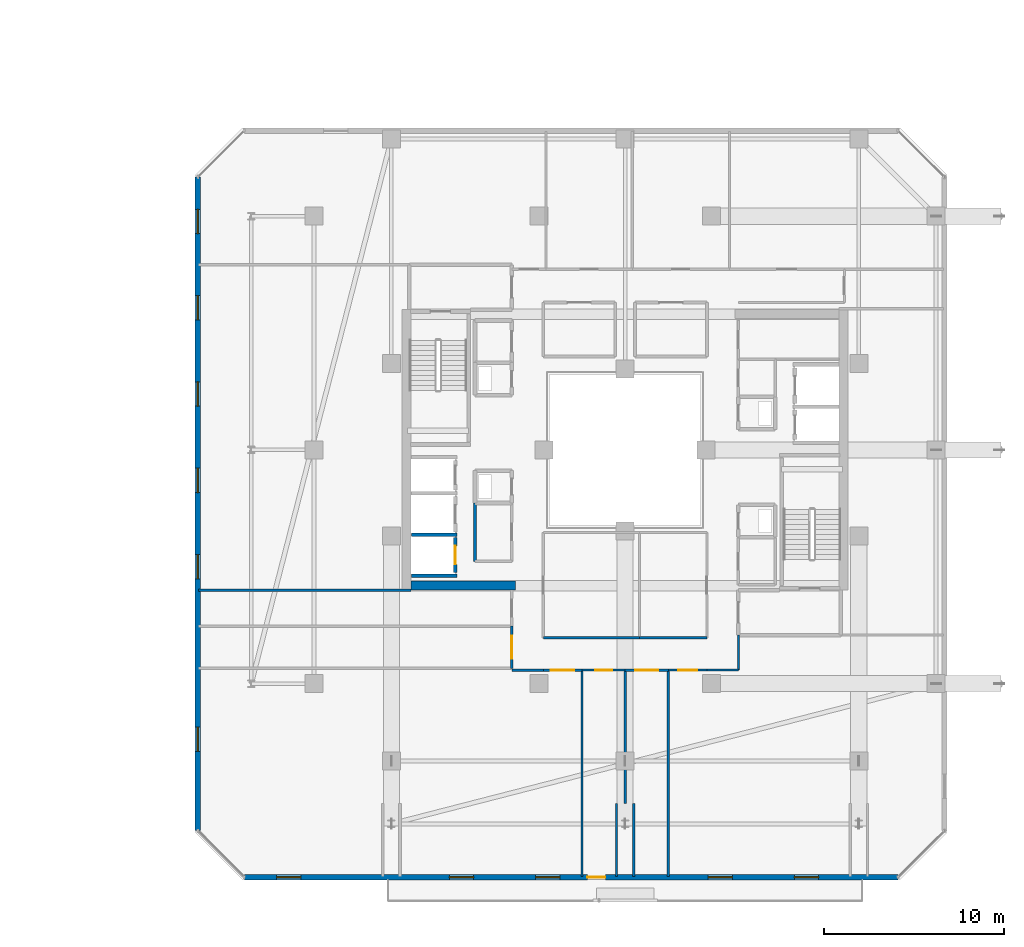
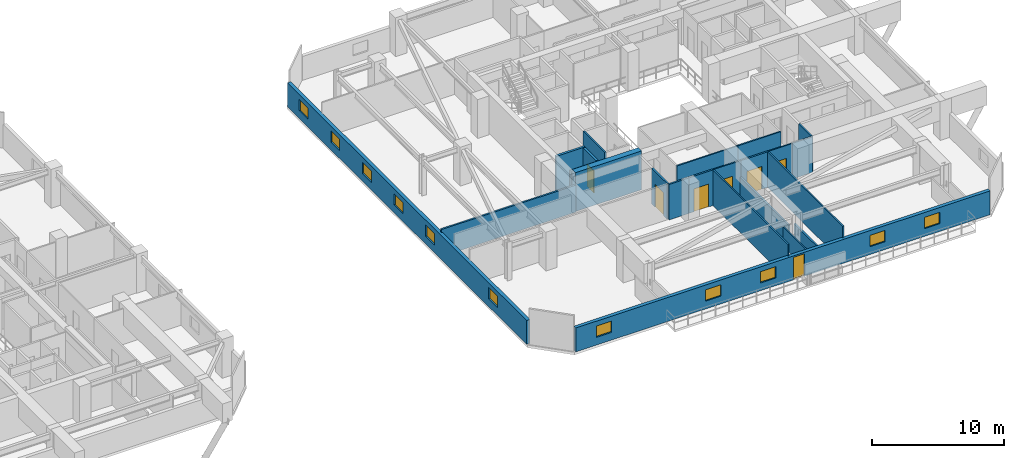
# One storey, part 25 of 35: 23 walls, 11 windows, 7 doors, 18 openings.
"""IFC4 building model written with IfcOpenShell, lengths in metres."""

from ifc_helpers import new_model, si_unit, direction, frame, frame_2d, origin, place, context, subcontext, project, spatial, rectangle, extrude, material, layer, layer_set, type_object, element, fill, save


model = new_model("IFC4")

# Units and contexts
model_context = context("Model", 3, precision=1e-05, world=origin(), true_north=direction((0.0, 1.0)))
body_context = subcontext(model_context, "Body", "Model", "MODEL_VIEW")
ifc_project = project(units=[si_unit("LENGTHUNIT", "METRE"), si_unit("AREAUNIT", "SQUARE_METRE"), si_unit("VOLUMEUNIT", "CUBIC_METRE"), si_unit("PLANEANGLEUNIT", "RADIAN"), si_unit("MASSUNIT", "GRAM", prefix="KILO")], contexts=[model_context])

# Site, building, storey
site_placement = place(None, origin())
site = spatial("IfcSite", under=ifc_project, at=site_placement, CompositionType="ELEMENT")
building_placement = place(site_placement, origin())
building = spatial("IfcBuilding", under=site, at=building_placement, Name="Thornwick Lancets Civic Towers", CompositionType="ELEMENT")
storey_placement = place(building_placement, frame((0.0, 0.0, 225.89990234375)))
storey = spatial("IfcBuildingStorey", under=building, at=storey_placement, Name="L60", CompositionType="ELEMENT", Elevation=225.89990234375)

# Wall, opening, door
ifc_material_1 = material(Name="Concrete blockwork C40/50", Category="masonry")
ifc_layer_1 = layer(ifc_material_1, 0.199951171875, Name="Concrete blockwork C40/50")
ifc_layer_set_1 = layer_set([ifc_layer_1], Name="Concrete blockwork C40/50")
wall_type_1 = type_object("IfcWallType", Name="WALL_COMP_200", PredefinedType="STANDARD", material=ifc_layer_set_1)
wall_1_placement = place(storey_placement, frame((79.050048828125, 20.179931640625, 0.0), z_axis=(0.0, 0.0, 1.0), x_axis=(0.0, 1.0, 0.0)))
wall_1 = element("IfcWall", 1, at=wall_1_placement, inside=storey, type_object=wall_type_1, Name="L60 Hoistway Front Wall PL-BH3", PredefinedType="STANDARD", context=body_context, shape_type="SweptSolid", body=[
    extrude(rectangle(XDim=1.940185546875, YDim=0.199951171875, at=frame_2d((0.97021484375, 0.0))), origin(), (0.0, 0.0, 1.0), 3.300048828125),
])
opening_1_placement = place(wall_1_placement, frame((0.4599609375, 0.0, 0.0)))
opening_1 = element("IfcOpeningElement", 2, at=opening_1_placement, cuts=wall_1, Name="Opening LD-PL-BH3", PredefinedType="OPENING", context=body_context, shape_type="SweptSolid", body=[
    extrude(rectangle(XDim=1.02001953125, YDim=2.06005859375, at=frame_2d((0.510009765625, 1.030029296875))), frame((0.0, 0.10986328125, 0.0), z_axis=(0.0, -1.0, 0.0), x_axis=(1.0, 0.0, 0.0)), (0.0, 0.0, 1.0), 0.219970703125),
])
ifc_material_2 = material(Name="Brushed bronze stainless steel", Category="steel")
door_type_1 = type_object("IfcDoorType", Name="DOOR_LIFT_SLIDE", OperationType="SLIDING_TO_LEFT", PredefinedType="DOOR", material=ifc_material_2)
door_1_placement = place(opening_1_placement, origin())
door_1 = element("IfcDoor", 3, at=door_1_placement, inside=storey, type_object=door_type_1, Name="L60 Sliding Lift Landing Door LD-PL-BH3", OperationType="SLIDING_TO_LEFT", OverallHeight=2.06005859375, OverallWidth=1.02001953125, PredefinedType="DOOR", context=body_context, shape_type="SweptSolid", body=[
    extrude(rectangle(XDim=1.02001953125, YDim=2.06005859375, at=frame_2d((0.510009765625, 1.030029296875))), frame((0.0, 0.02490234375, 0.0), z_axis=(0.0, -1.0, 0.0), x_axis=(1.0, 0.0, 0.0)), (0.0, 0.0, 1.0), 0.050048828125),
])
fill(opening_1, door_1)

# Walls
for number, where, z_axis, x_axis, name in (
    (4, (76.612060546875, 22.27490234375, 0.0), (0.0, 0.0, 1.0), (1.0, 0.0, 0.0), "L60 Hoistway Shaft Wall PL-BH2 S"),
    (5, (76.612060546875, 20.0, 0.0), (0.0, 0.0, 1.0), (1.0, 0.0, 0.0), "L60 Hoistway Shaft Wall PL-BH3 S"),
):
    element("IfcWall", number, at=place(storey_placement, frame(where, z_axis=z_axis, x_axis=x_axis)), inside=storey, type_object=wall_type_1, Name=name, PredefinedType="STANDARD", context=body_context, shape_type="SweptSolid", body=[
        extrude(rectangle(XDim=2.535888671875, YDim=0.199951171875, at=frame_2d((1.26806640625, 0.0))), origin(), (0.0, 0.0, 1.0), 3.300048828125),
    ])
ifc_material_3 = material(Name="Concrete C50/60", Category="concrete")
ifc_layer_2 = layer(ifc_material_3, 0.5, Name="Concrete C50/60")
ifc_layer_set_2 = layer_set([ifc_layer_2], Name="Concrete C50/60")
wall_type_2 = type_object("IfcWallType", Name="WALL_CORE_500", PredefinedType="SHEAR", material=ifc_layer_set_2)
wall_2_placement = place(storey_placement, frame((76.60009765625, 19.449951171875, 0.0), z_axis=(0.0, 0.0, 1.0), x_axis=(1.0, 0.0, 0.0)))
element("IfcWall", 6, at=wall_2_placement, inside=storey, type_object=wall_type_2, Name="L60 Split Core B2 Shear Wall S", PredefinedType="SHEAR", context=body_context, shape_type="SweptSolid", body=[
    extrude(rectangle(XDim=5.7998046875, YDim=0.5, at=frame_2d((2.89990234375, 0.0))), origin(), (0.0, 0.0, 1.0), 3.60009765625),
])

# Wall, openings, door, windows
ifc_material_4 = material(Name="Insulated russet terracotta rainscreen on concrete C40/50", Category="masonry")
ifc_layer_3 = layer(ifc_material_4, 0.300048828125, Name="Insulated russet terracotta rainscreen on concrete C40/50")
ifc_layer_set_3 = layer_set([ifc_layer_3], Name="Insulated russet terracotta rainscreen on concrete C40/50")
wall_type_3 = type_object("IfcWallType", Name="WALL_EXT_RUSSET_300", PredefinedType="STANDARD", material=ifc_layer_set_3)
wall_3_placement = place(storey_placement, frame((67.318603515625, 3.2353515625, 0.0), z_axis=(0.0, 0.0, 1.0), x_axis=(1.0, 0.0, 0.0)))
wall_3 = element("IfcWall", 7, at=wall_3_placement, inside=storey, type_object=wall_type_3, Name="L60 Tower B Terracotta Facade Wall E0", PredefinedType="STANDARD", context=body_context, shape_type="SweptSolid", body=[
    extrude(rectangle(XDim=36.36279296875, YDim=0.300048828125, at=frame_2d((18.181396484375, 0.0))), origin(), (0.0, 0.0, 1.0), 2.22021484375),
])
opening_2_placement = place(wall_3_placement, frame((19.081298828125, 0.0, 0.0)))
opening_2 = element("IfcOpeningElement", 8, at=opening_2_placement, cuts=wall_3, Name="Opening D-BL-L60-BS", PredefinedType="OPENING", context=body_context, shape_type="SweptSolid", body=[
    extrude(rectangle(XDim=1.0, YDim=2.080078125, at=frame_2d((0.5, 1.0400390625))), frame((0.0, 0.16015625, 0.0), z_axis=(0.0, -1.0, 0.0), x_axis=(1.0, 0.0, 0.0)), (0.0, 0.0, 1.0), 0.320068359375),
])
opening_3_placement = place(wall_3_placement, frame((1.800048828125, 0.0, 0.719970703125)))
opening_3 = element("IfcOpeningElement", 9, at=opening_3_placement, cuts=wall_3, Name="Opening WL-03", PredefinedType="OPENING", context=body_context, shape_type="SweptSolid", body=[
    extrude(rectangle(XDim=1.35009765625, YDim=1.050048828125, at=frame_2d((0.675048828125, 0.52490234375))), frame((0.0, 0.16015625, 0.0), z_axis=(0.0, -1.0, 0.0), x_axis=(1.0, 0.0, 0.0)), (0.0, 0.0, 1.0), 0.320068359375),
])
opening_4_placement = place(wall_3_placement, frame((11.39990234375, 0.0, 0.719970703125)))
opening_4 = element("IfcOpeningElement", 10, at=opening_4_placement, cuts=wall_3, Name="Opening WL-03", PredefinedType="OPENING", context=body_context, shape_type="SweptSolid", body=[
    extrude(rectangle(XDim=1.35009765625, YDim=1.050048828125, at=frame_2d((0.675048828125, 0.52490234375))), frame((0.0, 0.16015625, 0.0), z_axis=(0.0, -1.0, 0.0), x_axis=(1.0, 0.0, 0.0)), (0.0, 0.0, 1.0), 0.320068359375),
])
opening_5_placement = place(wall_3_placement, frame((16.199951171875, 0.0, 0.719970703125)))
opening_5 = element("IfcOpeningElement", 11, at=opening_5_placement, cuts=wall_3, Name="Opening WL-03", PredefinedType="OPENING", context=body_context, shape_type="SweptSolid", body=[
    extrude(rectangle(XDim=1.35009765625, YDim=1.050048828125, at=frame_2d((0.675048828125, 0.52490234375))), frame((0.0, 0.16015625, 0.0), z_axis=(0.0, -1.0, 0.0), x_axis=(1.0, 0.0, 0.0)), (0.0, 0.0, 1.0), 0.320068359375),
])
opening_6_placement = place(wall_3_placement, frame((25.800048828125, 0.0, 0.719970703125)))
opening_6 = element("IfcOpeningElement", 12, at=opening_6_placement, cuts=wall_3, Name="Opening WL-03", PredefinedType="OPENING", context=body_context, shape_type="SweptSolid", body=[
    extrude(rectangle(XDim=1.35009765625, YDim=1.050048828125, at=frame_2d((0.675048828125, 0.52490234375))), frame((0.0, 0.16015625, 0.0), z_axis=(0.0, -1.0, 0.0), x_axis=(1.0, 0.0, 0.0)), (0.0, 0.0, 1.0), 0.320068359375),
])
opening_7_placement = place(wall_3_placement, frame((30.60009765625, 0.0, 0.719970703125)))
opening_7 = element("IfcOpeningElement", 13, at=opening_7_placement, cuts=wall_3, Name="Opening WL-03", PredefinedType="OPENING", context=body_context, shape_type="SweptSolid", body=[
    extrude(rectangle(XDim=1.35009765625, YDim=1.050048828125, at=frame_2d((0.675048828125, 0.52490234375))), frame((0.0, 0.16015625, 0.0), z_axis=(0.0, -1.0, 0.0), x_axis=(1.0, 0.0, 0.0)), (0.0, 0.0, 1.0), 0.320068359375),
])
ifc_material_5 = material(Name="Thermally broken glazed loggia doorset")
door_type_2 = type_object("IfcDoorType", Name="DOOR_BALC_1000", OperationType="NOTDEFINED", PredefinedType="DOOR", material=ifc_material_5)
door_2_placement = place(opening_2_placement, origin())
door_2 = element("IfcDoor", 14, at=door_2_placement, inside=storey, type_object=door_type_2, Name="L60 Tower B Loggia Balcony Door S", OperationType="SINGLE_SWING_LEFT", OverallHeight=2.080078125, OverallWidth=1.0, PredefinedType="DOOR", context=body_context, shape_type="SweptSolid", body=[
    extrude(rectangle(XDim=1.0, YDim=2.080078125, at=frame_2d((0.5, 1.0400390625))), frame((0.0, 0.02490234375, 0.0), z_axis=(0.0, -1.0, 0.0), x_axis=(1.0, 0.0, 0.0)), (0.0, 0.0, 1.0), 0.050048828125),
])
fill(opening_2, door_2)
ifc_material_6 = material(Name="Clear low-e double glazing clerestory lancet", Category="glass")
window_type = type_object("IfcWindowType", Name="WIN_LANCET_1350", PartitioningType="SINGLE_PANEL", PredefinedType="WINDOW", material=ifc_material_6)
window_1_placement = place(opening_3_placement, origin())
window_1 = element("IfcWindow", 15, at=window_1_placement, inside=storey, type_object=window_type, Name="L60 Tower B Staggered Lancet Window E0-1", OverallHeight=1.050048828125, OverallWidth=1.35009765625, PartitioningType="SINGLE_PANEL", PredefinedType="WINDOW", context=body_context, shape_type="SweptSolid", body=[
    extrude(rectangle(XDim=1.35009765625, YDim=1.050048828125, at=frame_2d((0.675048828125, 0.52490234375))), frame((0.0, 0.030029296875, 0.0), z_axis=(0.0, -1.0, 0.0), x_axis=(1.0, 0.0, 0.0)), (0.0, 0.0, 1.0), 0.06005859375),
])
fill(opening_3, window_1)
window_2_placement = place(opening_4_placement, origin())
window_2 = element("IfcWindow", 16, at=window_2_placement, inside=storey, type_object=window_type, Name="L60 Tower B Staggered Lancet Window E0-2", OverallHeight=1.050048828125, OverallWidth=1.35009765625, PartitioningType="SINGLE_PANEL", PredefinedType="WINDOW", context=body_context, shape_type="SweptSolid", body=[
    extrude(rectangle(XDim=1.35009765625, YDim=1.050048828125, at=frame_2d((0.675048828125, 0.52490234375))), frame((0.0, 0.030029296875, 0.0), z_axis=(0.0, -1.0, 0.0), x_axis=(1.0, 0.0, 0.0)), (0.0, 0.0, 1.0), 0.06005859375),
])
fill(opening_4, window_2)
window_3_placement = place(opening_5_placement, origin())
window_3 = element("IfcWindow", 17, at=window_3_placement, inside=storey, type_object=window_type, Name="L60 Tower B Staggered Lancet Window E0-3", OverallHeight=1.050048828125, OverallWidth=1.35009765625, PartitioningType="SINGLE_PANEL", PredefinedType="WINDOW", context=body_context, shape_type="SweptSolid", body=[
    extrude(rectangle(XDim=1.35009765625, YDim=1.050048828125, at=frame_2d((0.675048828125, 0.52490234375))), frame((0.0, 0.030029296875, 0.0), z_axis=(0.0, -1.0, 0.0), x_axis=(1.0, 0.0, 0.0)), (0.0, 0.0, 1.0), 0.06005859375),
])
fill(opening_5, window_3)
window_4_placement = place(opening_6_placement, origin())
window_4 = element("IfcWindow", 18, at=window_4_placement, inside=storey, type_object=window_type, Name="L60 Tower B Staggered Lancet Window E0-4", OverallHeight=1.050048828125, OverallWidth=1.35009765625, PartitioningType="SINGLE_PANEL", PredefinedType="WINDOW", context=body_context, shape_type="SweptSolid", body=[
    extrude(rectangle(XDim=1.35009765625, YDim=1.050048828125, at=frame_2d((0.675048828125, 0.52490234375))), frame((0.0, 0.030029296875, 0.0), z_axis=(0.0, -1.0, 0.0), x_axis=(1.0, 0.0, 0.0)), (0.0, 0.0, 1.0), 0.06005859375),
])
fill(opening_6, window_4)
window_5_placement = place(opening_7_placement, origin())
window_5 = element("IfcWindow", 19, at=window_5_placement, inside=storey, type_object=window_type, Name="L60 Tower B Staggered Lancet Window E0-5", OverallHeight=1.050048828125, OverallWidth=1.35009765625, PartitioningType="SINGLE_PANEL", PredefinedType="WINDOW", context=body_context, shape_type="SweptSolid", body=[
    extrude(rectangle(XDim=1.35009765625, YDim=1.050048828125, at=frame_2d((0.675048828125, 0.52490234375))), frame((0.0, 0.030029296875, 0.0), z_axis=(0.0, -1.0, 0.0), x_axis=(1.0, 0.0, 0.0)), (0.0, 0.0, 1.0), 0.06005859375),
])
fill(opening_7, window_5)

# Wall, openings, windows
wall_4_placement = place(storey_placement, frame((64.7353515625, 42.181396484375, 0.0), z_axis=(0.0, 0.0, 1.0), x_axis=(0.0, -1.0, 0.0)))
wall_4 = element("IfcWall", 20, at=wall_4_placement, inside=storey, type_object=wall_type_3, Name="L60 Tower B Terracotta Facade Wall E6", PredefinedType="STANDARD", context=body_context, shape_type="SweptSolid", body=[
    extrude(rectangle(XDim=36.36279296875, YDim=0.300048828125, at=frame_2d((18.181396484375, 0.0))), origin(), (0.0, 0.0, 1.0), 2.22021484375),
])
opening_8_placement = place(wall_4_placement, frame((1.800048828125, 0.0, 0.719970703125)))
opening_8 = element("IfcOpeningElement", 21, at=opening_8_placement, cuts=wall_4, Name="Opening WL-03", PredefinedType="OPENING", context=body_context, shape_type="SweptSolid", body=[
    extrude(rectangle(XDim=1.35009765625, YDim=1.050048828125, at=frame_2d((0.675048828125, 0.52490234375))), frame((0.0, 0.16015625, 0.0), z_axis=(0.0, -1.0, 0.0), x_axis=(1.0, 0.0, 0.0)), (0.0, 0.0, 1.0), 0.320068359375),
])
opening_9_placement = place(wall_4_placement, frame((6.60009765625, 0.0, 0.719970703125)))
opening_9 = element("IfcOpeningElement", 22, at=opening_9_placement, cuts=wall_4, Name="Opening WL-03", PredefinedType="OPENING", context=body_context, shape_type="SweptSolid", body=[
    extrude(rectangle(XDim=1.35009765625, YDim=1.050048828125, at=frame_2d((0.675048828125, 0.52490234375))), frame((0.0, 0.16015625, 0.0), z_axis=(0.0, -1.0, 0.0), x_axis=(1.0, 0.0, 0.0)), (0.0, 0.0, 1.0), 0.320068359375),
])
opening_10_placement = place(wall_4_placement, frame((11.39990234375, 0.0, 0.719970703125)))
opening_10 = element("IfcOpeningElement", 23, at=opening_10_placement, cuts=wall_4, Name="Opening WL-03", PredefinedType="OPENING", context=body_context, shape_type="SweptSolid", body=[
    extrude(rectangle(XDim=1.35009765625, YDim=1.050048828125, at=frame_2d((0.675048828125, 0.52490234375))), frame((0.0, 0.16015625, 0.0), z_axis=(0.0, -1.0, 0.0), x_axis=(1.0, 0.0, 0.0)), (0.0, 0.0, 1.0), 0.320068359375),
])
opening_11_placement = place(wall_4_placement, frame((16.199951171875, 0.0, 0.719970703125)))
opening_11 = element("IfcOpeningElement", 24, at=opening_11_placement, cuts=wall_4, Name="Opening WL-03", PredefinedType="OPENING", context=body_context, shape_type="SweptSolid", body=[
    extrude(rectangle(XDim=1.35009765625, YDim=1.050048828125, at=frame_2d((0.675048828125, 0.52490234375))), frame((0.0, 0.16015625, 0.0), z_axis=(0.0, -1.0, 0.0), x_axis=(1.0, 0.0, 0.0)), (0.0, 0.0, 1.0), 0.320068359375),
])
opening_12_placement = place(wall_4_placement, frame((21.0, 0.0, 0.719970703125)))
opening_12 = element("IfcOpeningElement", 25, at=opening_12_placement, cuts=wall_4, Name="Opening WL-03", PredefinedType="OPENING", context=body_context, shape_type="SweptSolid", body=[
    extrude(rectangle(XDim=1.35009765625, YDim=1.050048828125, at=frame_2d((0.675048828125, 0.52490234375))), frame((0.0, 0.16015625, 0.0), z_axis=(0.0, -1.0, 0.0), x_axis=(1.0, 0.0, 0.0)), (0.0, 0.0, 1.0), 0.320068359375),
])
opening_13_placement = place(wall_4_placement, frame((30.60009765625, 0.0, 0.719970703125)))
opening_13 = element("IfcOpeningElement", 26, at=opening_13_placement, cuts=wall_4, Name="Opening WL-03", PredefinedType="OPENING", context=body_context, shape_type="SweptSolid", body=[
    extrude(rectangle(XDim=1.35009765625, YDim=1.050048828125, at=frame_2d((0.675048828125, 0.52490234375))), frame((0.0, 0.16015625, 0.0), z_axis=(0.0, -1.0, 0.0), x_axis=(1.0, 0.0, 0.0)), (0.0, 0.0, 1.0), 0.320068359375),
])
window_6_placement = place(opening_8_placement, origin())
window_6 = element("IfcWindow", 27, at=window_6_placement, inside=storey, type_object=window_type, Name="L60 Tower B Staggered Lancet Window E6-1", OverallHeight=1.050048828125, OverallWidth=1.35009765625, PartitioningType="SINGLE_PANEL", PredefinedType="WINDOW", context=body_context, shape_type="SweptSolid", body=[
    extrude(rectangle(XDim=1.35009765625, YDim=1.050048828125, at=frame_2d((0.675048828125, 0.52490234375))), frame((0.0, 0.030029296875, 0.0), z_axis=(0.0, -1.0, 0.0), x_axis=(1.0, 0.0, 0.0)), (0.0, 0.0, 1.0), 0.06005859375),
])
fill(opening_8, window_6)
window_7_placement = place(opening_9_placement, origin())
window_7 = element("IfcWindow", 28, at=window_7_placement, inside=storey, type_object=window_type, Name="L60 Tower B Staggered Lancet Window E6-2", OverallHeight=1.050048828125, OverallWidth=1.35009765625, PartitioningType="SINGLE_PANEL", PredefinedType="WINDOW", context=body_context, shape_type="SweptSolid", body=[
    extrude(rectangle(XDim=1.35009765625, YDim=1.050048828125, at=frame_2d((0.675048828125, 0.52490234375))), frame((0.0, 0.030029296875, 0.0), z_axis=(0.0, -1.0, 0.0), x_axis=(1.0, 0.0, 0.0)), (0.0, 0.0, 1.0), 0.06005859375),
])
fill(opening_9, window_7)
window_8_placement = place(opening_10_placement, origin())
window_8 = element("IfcWindow", 29, at=window_8_placement, inside=storey, type_object=window_type, Name="L60 Tower B Staggered Lancet Window E6-3", OverallHeight=1.050048828125, OverallWidth=1.35009765625, PartitioningType="SINGLE_PANEL", PredefinedType="WINDOW", context=body_context, shape_type="SweptSolid", body=[
    extrude(rectangle(XDim=1.35009765625, YDim=1.050048828125, at=frame_2d((0.675048828125, 0.52490234375))), frame((0.0, 0.030029296875, 0.0), z_axis=(0.0, -1.0, 0.0), x_axis=(1.0, 0.0, 0.0)), (0.0, 0.0, 1.0), 0.06005859375),
])
fill(opening_10, window_8)
window_9_placement = place(opening_11_placement, origin())
window_9 = element("IfcWindow", 30, at=window_9_placement, inside=storey, type_object=window_type, Name="L60 Tower B Staggered Lancet Window E6-4", OverallHeight=1.050048828125, OverallWidth=1.35009765625, PartitioningType="SINGLE_PANEL", PredefinedType="WINDOW", context=body_context, shape_type="SweptSolid", body=[
    extrude(rectangle(XDim=1.35009765625, YDim=1.050048828125, at=frame_2d((0.675048828125, 0.52490234375))), frame((0.0, 0.030029296875, 0.0), z_axis=(0.0, -1.0, 0.0), x_axis=(1.0, 0.0, 0.0)), (0.0, 0.0, 1.0), 0.06005859375),
])
fill(opening_11, window_9)
window_10_placement = place(opening_12_placement, origin())
window_10 = element("IfcWindow", 31, at=window_10_placement, inside=storey, type_object=window_type, Name="L60 Tower B Staggered Lancet Window E6-5", OverallHeight=1.050048828125, OverallWidth=1.35009765625, PartitioningType="SINGLE_PANEL", PredefinedType="WINDOW", context=body_context, shape_type="SweptSolid", body=[
    extrude(rectangle(XDim=1.35009765625, YDim=1.050048828125, at=frame_2d((0.675048828125, 0.52490234375))), frame((0.0, 0.030029296875, 0.0), z_axis=(0.0, -1.0, 0.0), x_axis=(1.0, 0.0, 0.0)), (0.0, 0.0, 1.0), 0.06005859375),
])
fill(opening_12, window_10)
window_11_placement = place(opening_13_placement, origin())
window_11 = element("IfcWindow", 32, at=window_11_placement, inside=storey, type_object=window_type, Name="L60 Tower B Staggered Lancet Window E6-6", OverallHeight=1.050048828125, OverallWidth=1.35009765625, PartitioningType="SINGLE_PANEL", PredefinedType="WINDOW", context=body_context, shape_type="SweptSolid", body=[
    extrude(rectangle(XDim=1.35009765625, YDim=1.050048828125, at=frame_2d((0.675048828125, 0.52490234375))), frame((0.0, 0.030029296875, 0.0), z_axis=(0.0, -1.0, 0.0), x_axis=(1.0, 0.0, 0.0)), (0.0, 0.0, 1.0), 0.06005859375),
])
fill(opening_13, window_11)

# Wall
ifc_material_7 = material(Name="Acoustic gypsum board partition")
ifc_layer_4 = layer(ifc_material_7, 0.1201171875, Name="Acoustic gypsum board partition")
ifc_layer_set_4 = layer_set([ifc_layer_4], Name="Acoustic gypsum board partition")
wall_type_4 = type_object("IfcWallType", Name="WALL_PART_120", PredefinedType="PARTITIONING", material=ifc_layer_set_4)
wall_5_placement = place(storey_placement, frame((90.89990234375, 3.280029296875, 0.0), z_axis=(0.0, 0.0, 1.0), x_axis=(0.0, 1.0, 0.0)))
element("IfcWall", 33, at=wall_5_placement, inside=storey, type_object=wall_type_4, Name="L60 Partition L60-B-W1 E6", PredefinedType="PARTITIONING", context=body_context, shape_type="SweptSolid", body=[
    extrude(rectangle(XDim=11.469970703125, YDim=0.1201171875, at=frame_2d((5.73486328125, 0.0))), origin(), (0.0, 0.0, 1.0), 3.300048828125),
])

# Wall, opening, door
wall_6_placement = place(storey_placement, frame((90.89990234375, 14.75, 0.0), z_axis=(0.0, 0.0, 1.0), x_axis=(1.0, 0.0, 0.0)))
wall_6 = element("IfcWall", 34, at=wall_6_placement, inside=storey, type_object=wall_type_4, Name="L60 Partition L60-B-W1 E7", PredefinedType="PARTITIONING", context=body_context, shape_type="SweptSolid", body=[
    extrude(rectangle(XDim=2.150146484375, YDim=0.1201171875, at=frame_2d((1.0751953125, 0.0))), origin(), (0.0, 0.0, 1.0), 3.300048828125),
])
opening_14_placement = place(wall_6_placement, frame((0.550048828125, 0.0, 0.0)))
opening_14 = element("IfcOpeningElement", 35, at=opening_14_placement, cuts=wall_6, Name="Opening D-L60-2721", PredefinedType="OPENING", context=body_context, shape_type="SweptSolid", body=[
    extrude(rectangle(XDim=1.050048828125, YDim=2.10009765625, at=frame_2d((0.52490234375, 1.050048828125))), frame((0.0, 0.070068359375, 0.0), z_axis=(0.0, -1.0, 0.0), x_axis=(1.0, 0.0, 0.0)), (0.0, 0.0, 1.0), 0.14013671875),
])
ifc_material_8 = material(Name="Glazed European oak executive doorset")
door_type_3 = type_object("IfcDoorType", Name="DOOR_OFFICE_1050", OperationType="NOTDEFINED", PredefinedType="DOOR", material=ifc_material_8)
door_3_placement = place(opening_14_placement, origin())
door_3 = element("IfcDoor", 36, at=door_3_placement, inside=storey, type_object=door_type_3, Name="L60 Tower B Ministry Directorate Office W1 Door", OperationType="SINGLE_SWING_RIGHT", OverallHeight=2.10009765625, OverallWidth=1.050048828125, PredefinedType="DOOR", context=body_context, shape_type="SweptSolid", body=[
    extrude(rectangle(XDim=1.050048828125, YDim=2.10009765625, at=frame_2d((0.52490234375, 1.050048828125))), frame((0.0, 0.02490234375, 0.0), z_axis=(0.0, -1.0, 0.0), x_axis=(1.0, 0.0, 0.0)), (0.0, 0.0, 1.0), 0.050048828125),
])
fill(opening_14, door_3)

# Walls
wall_7_placement = place(storey_placement, frame((93.050048828125, 14.75, 0.0), z_axis=(0.0, 0.0, 1.0), x_axis=(1.0, 0.0, 0.0)))
element("IfcWall", 37, at=wall_7_placement, inside=storey, type_object=wall_type_4, Name="L60 Partition L60-B-W1 E8", PredefinedType="PARTITIONING", context=body_context, shape_type="SweptSolid", body=[
    extrude(rectangle(XDim=1.75, YDim=0.1201171875, at=frame_2d((0.875, 0.0))), origin(), (0.0, 0.0, 1.0), 3.300048828125),
])
wall_8_placement = place(storey_placement, frame((94.800048828125, 14.75, 0.0), z_axis=(0.0, 0.0, 1.0), x_axis=(0.0, 1.0, 0.0)))
element("IfcWall", 38, at=wall_8_placement, inside=storey, type_object=wall_type_4, Name="L60 Partition L60-B-W1 E9", PredefinedType="PARTITIONING", context=body_context, shape_type="SweptSolid", body=[
    extrude(rectangle(XDim=1.949951171875, YDim=0.1201171875, at=frame_2d((0.97509765625, 0.0))), origin(), (0.0, 0.0, 1.0), 3.300048828125),
])
wall_9_placement = place(storey_placement, frame((88.02001953125, 7.32861328125, 0.0), z_axis=(0.0, 0.0, 1.0), x_axis=(0.0, -1.0, 0.0)))
element("IfcWall", 39, at=wall_9_placement, inside=storey, type_object=wall_type_4, Name="L60 Partition L60-B-W2B E3", PredefinedType="PARTITIONING", context=body_context, shape_type="SweptSolid", body=[
    extrude(rectangle(XDim=4.048583984375, YDim=0.1201171875, at=frame_2d((2.0244140625, 0.0))), origin(), (0.0, 0.0, 1.0), 1.78515625),
])
wall_10_placement = place(storey_placement, frame((86.10009765625, 3.280029296875, 0.0), z_axis=(0.0, 0.0, 1.0), x_axis=(0.0, 1.0, 0.0)))
element("IfcWall", 40, at=wall_10_placement, inside=storey, type_object=wall_type_4, Name="L60 Partition L60-B-W2B E5", PredefinedType="PARTITIONING", context=body_context, shape_type="SweptSolid", body=[
    extrude(rectangle(XDim=11.469970703125, YDim=0.1201171875, at=frame_2d((5.73486328125, 0.0))), origin(), (0.0, 0.0, 1.0), 3.300048828125),
])

# Wall, opening, door
wall_11_placement = place(storey_placement, frame((86.10009765625, 14.75, 0.0), z_axis=(0.0, 0.0, 1.0), x_axis=(1.0, 0.0, 0.0)))
wall_11 = element("IfcWall", 41, at=wall_11_placement, inside=storey, type_object=wall_type_4, Name="L60 Partition L60-B-W2B E6", PredefinedType="PARTITIONING", context=body_context, shape_type="SweptSolid", body=[
    extrude(rectangle(XDim=2.39990234375, YDim=0.1201171875, at=frame_2d((1.199951171875, 0.0))), origin(), (0.0, 0.0, 1.0), 3.300048828125),
])
opening_15_placement = place(wall_11_placement, frame((0.72509765625, 0.0, 0.0)))
opening_15 = element("IfcOpeningElement", 42, at=opening_15_placement, cuts=wall_11, Name="Opening D-L60-2723", PredefinedType="OPENING", context=body_context, shape_type="SweptSolid", body=[
    extrude(rectangle(XDim=0.949951171875, YDim=2.10009765625, at=frame_2d((0.47509765625, 1.050048828125))), frame((0.0, 0.070068359375, 0.0), z_axis=(0.0, -1.0, 0.0), x_axis=(1.0, 0.0, 0.0)), (0.0, 0.0, 1.0), 0.14013671875),
])
ifc_material_9 = material(Name="European oak acoustic doorset")
door_type_4 = type_object("IfcDoorType", Name="DOOR_OFFICE_950", OperationType="NOTDEFINED", PredefinedType="DOOR", material=ifc_material_9)
door_4_placement = place(opening_15_placement, origin())
door_4 = element("IfcDoor", 43, at=door_4_placement, inside=storey, type_object=door_type_4, Name="L60 Tower B Senior Counsel Office W2B Door", OperationType="SINGLE_SWING_RIGHT", OverallHeight=2.10009765625, OverallWidth=0.949951171875, PredefinedType="DOOR", context=body_context, shape_type="SweptSolid", body=[
    extrude(rectangle(XDim=0.949951171875, YDim=2.10009765625, at=frame_2d((0.47509765625, 1.050048828125))), frame((0.0, 0.02490234375, 0.0), z_axis=(0.0, -1.0, 0.0), x_axis=(1.0, 0.0, 0.0)), (0.0, 0.0, 1.0), 0.050048828125),
])
fill(opening_15, door_4)

# Walls
wall_12_placement = place(storey_placement, frame((93.050048828125, 16.550048828125, 0.0), z_axis=(0.0, 0.0, 1.0), x_axis=(-1.0, 0.0, 0.0)))
element("IfcWall", 44, at=wall_12_placement, inside=storey, type_object=wall_type_4, Name="L60 Partition L60-B-W3 E4", PredefinedType="PARTITIONING", context=body_context, shape_type="SweptSolid", body=[
    extrude(rectangle(XDim=3.75, YDim=0.1201171875, at=frame_2d((1.875, 0.0))), origin(), (0.0, 0.0, 1.0), 3.300048828125),
])
wall_13_placement = place(storey_placement, frame((89.300048828125, 16.550048828125, 0.0), z_axis=(0.0, 0.0, 1.0), x_axis=(-1.0, 0.0, 0.0)))
element("IfcWall", 45, at=wall_13_placement, inside=storey, type_object=wall_type_4, Name="L60 Partition L60-B-W4 E4", PredefinedType="PARTITIONING", context=body_context, shape_type="SweptSolid", body=[
    extrude(rectangle(XDim=5.35009765625, YDim=0.1201171875, at=frame_2d((2.675048828125, 0.0))), origin(), (0.0, 0.0, 1.0), 3.300048828125),
])
ifc_material_10 = material(Name="Twin-stud acoustic gypsum board")
ifc_layer_5 = layer(ifc_material_10, 0.14990234375, Name="Twin-stud acoustic gypsum board")
ifc_layer_set_5 = layer_set([ifc_layer_5], Name="Twin-stud acoustic gypsum board")
wall_type_5 = type_object("IfcWallType", Name="WALL_PART_150", PredefinedType="PARTITIONING", material=ifc_layer_set_5)
wall_14_placement = place(storey_placement, frame((80.14990234375, 20.800048828125, 0.0), z_axis=(0.0, 0.0, 1.0), x_axis=(0.0, 1.0, 0.0)))
element("IfcWall", 46, at=wall_14_placement, inside=storey, type_object=wall_type_5, Name="L60 Partition L60-B-FWC E2", PredefinedType="PARTITIONING", context=body_context, shape_type="SweptSolid", body=[
    extrude(rectangle(XDim=3.25, YDim=0.14990234375, at=frame_2d((1.625, 0.0))), origin(), (0.0, 0.0, 1.0), 3.300048828125),
])

# Wall, opening, door
wall_15_placement = place(storey_placement, frame((82.199951171875, 17.199951171875, 0.0), z_axis=(0.0, 0.0, 1.0), x_axis=(0.0, -1.0, 0.0)))
wall_15 = element("IfcWall", 47, at=wall_15_placement, inside=storey, type_object=wall_type_5, Name="L60 Partition L60-B-RECLAIM-M1 E4", PredefinedType="PARTITIONING", context=body_context, shape_type="SweptSolid", body=[
    extrude(rectangle(XDim=2.349853515625, YDim=0.14990234375, at=frame_2d((1.1748046875, 0.0))), origin(), (0.0, 0.0, 1.0), 3.300048828125),
])
opening_16_placement = place(wall_15_placement, frame((0.52490234375, 0.0, 0.0)))
opening_16 = element("IfcOpeningElement", 48, at=opening_16_placement, cuts=wall_15, Name="Opening D-L60-2719", PredefinedType="OPENING", context=body_context, shape_type="SweptSolid", body=[
    extrude(rectangle(XDim=1.300048828125, YDim=2.1201171875, at=frame_2d((0.64990234375, 1.06005859375))), frame((0.0, 0.0849609375, 0.0), z_axis=(0.0, -1.0, 0.0), x_axis=(1.0, 0.0, 0.0)), (0.0, 0.0, 1.0), 0.169921875),
])
ifc_material_11 = material(Name="Acoustic oak leaf-and-a-half doorset")
door_type_5 = type_object("IfcDoorType", Name="DOOR_MEET_1300", OperationType="DOUBLE_DOOR_SINGLE_SWING", PredefinedType="DOOR", material=ifc_material_11)
door_5_placement = place(opening_16_placement, origin())
door_5 = element("IfcDoor", 49, at=door_5_placement, inside=storey, type_object=door_type_5, Name="L60 Tower B Diplomatic Conference Room Door", OperationType="DOUBLE_DOOR_SINGLE_SWING", OverallHeight=2.1201171875, OverallWidth=1.300048828125, PredefinedType="DOOR", context=body_context, shape_type="SweptSolid", body=[
    extrude(rectangle(XDim=1.300048828125, YDim=2.1201171875, at=frame_2d((0.64990234375, 1.06005859375))), frame((0.0, 0.02490234375, 0.0), z_axis=(0.0, -1.0, 0.0), x_axis=(1.0, 0.0, 0.0)), (0.0, 0.0, 1.0), 0.050048828125),
])
fill(opening_16, door_5)

# Walls
wall_16_placement = place(storey_placement, frame((64.780029296875, 19.199951171875, 0.0), z_axis=(0.0, 0.0, 1.0), x_axis=(1.0, 0.0, 0.0)))
element("IfcWall", 50, at=wall_16_placement, inside=storey, type_object=wall_type_5, Name="L60 Partition L60-B-RECLAIM-M2 E3", PredefinedType="PARTITIONING", context=body_context, shape_type="SweptSolid", body=[
    extrude(rectangle(XDim=11.820068359375, YDim=0.14990234375, at=frame_2d((5.91015625, 0.0))), origin(), (0.0, 0.0, 1.0), 2.505126953125),
])
wall_17_placement = place(storey_placement, frame((88.97998046875, 3.280029296875, 0.0), z_axis=(0.0, 0.0, 1.0), x_axis=(0.0, 1.0, 0.0)))
element("IfcWall", 51, at=wall_17_placement, inside=storey, type_object=wall_type_5, Name="L60 Partition L60-B-W2 E3", PredefinedType="PARTITIONING", context=body_context, shape_type="SweptSolid", body=[
    extrude(rectangle(XDim=4.048583984375, YDim=0.14990234375, at=frame_2d((2.0244140625, 0.0))), origin(), (0.0, 0.0, 1.0), 1.78515625),
])
wall_18_placement = place(storey_placement, frame((88.5, 7.32861328125, 0.0), z_axis=(0.0, 0.0, 1.0), x_axis=(0.0, 1.0, 0.0)))
element("IfcWall", 52, at=wall_18_placement, inside=storey, type_object=wall_type_5, Name="L60 Partition L60-B-W2 E5", PredefinedType="PARTITIONING", context=body_context, shape_type="SweptSolid", body=[
    extrude(rectangle(XDim=7.42138671875, YDim=0.14990234375, at=frame_2d((3.710693359375, 0.0))), origin(), (0.0, 0.0, 1.0), 1.78515625),
])

# Wall, opening, door
wall_19_placement = place(storey_placement, frame((88.5, 14.75, 0.0), z_axis=(0.0, 0.0, 1.0), x_axis=(1.0, 0.0, 0.0)))
wall_19 = element("IfcWall", 53, at=wall_19_placement, inside=storey, type_object=wall_type_5, Name="L60 Partition L60-B-W2 E6", PredefinedType="PARTITIONING", context=body_context, shape_type="SweptSolid", body=[
    extrude(rectangle(XDim=2.39990234375, YDim=0.14990234375, at=frame_2d((1.199951171875, 0.0))), origin(), (0.0, 0.0, 1.0), 3.300048828125),
])
opening_17_placement = place(wall_19_placement, frame((0.550048828125, 0.0, 0.0)))
opening_17 = element("IfcOpeningElement", 54, at=opening_17_placement, cuts=wall_19, Name="Opening D-L60-2722", PredefinedType="OPENING", context=body_context, shape_type="SweptSolid", body=[
    extrude(rectangle(XDim=1.300048828125, YDim=2.1201171875, at=frame_2d((0.64990234375, 1.06005859375))), frame((0.0, 0.0849609375, 0.0), z_axis=(0.0, -1.0, 0.0), x_axis=(1.0, 0.0, 0.0)), (0.0, 0.0, 1.0), 0.169921875),
])
door_6_placement = place(opening_17_placement, origin())
door_6 = element("IfcDoor", 55, at=door_6_placement, inside=storey, type_object=door_type_5, Name="L60 Tower B Policy Briefing Room W2 Door", OperationType="DOUBLE_DOOR_SINGLE_SWING", OverallHeight=2.1201171875, OverallWidth=1.300048828125, PredefinedType="DOOR", context=body_context, shape_type="SweptSolid", body=[
    extrude(rectangle(XDim=1.300048828125, YDim=2.1201171875, at=frame_2d((0.64990234375, 1.06005859375))), frame((0.0, 0.02490234375, 0.0), z_axis=(0.0, -1.0, 0.0), x_axis=(1.0, 0.0, 0.0)), (0.0, 0.0, 1.0), 0.050048828125),
])
fill(opening_17, door_6)

# Wall
wall_20_placement = place(storey_placement, frame((82.199951171875, 14.75, 0.0), z_axis=(0.0, 0.0, 1.0), x_axis=(1.0, 0.0, 0.0)))
element("IfcWall", 56, at=wall_20_placement, inside=storey, type_object=wall_type_5, Name="L60 Partition L60-B-W2C E9", PredefinedType="PARTITIONING", context=body_context, shape_type="SweptSolid", body=[
    extrude(rectangle(XDim=1.75, YDim=0.14990234375, at=frame_2d((0.875, 0.0))), origin(), (0.0, 0.0, 1.0), 3.300048828125),
])

# Wall, opening, door
wall_21_placement = place(storey_placement, frame((83.949951171875, 14.75, 0.0), z_axis=(0.0, 0.0, 1.0), x_axis=(1.0, 0.0, 0.0)))
wall_21 = element("IfcWall", 57, at=wall_21_placement, inside=storey, type_object=wall_type_5, Name="L60 Partition L60-B-W2C E10", PredefinedType="PARTITIONING", context=body_context, shape_type="SweptSolid", body=[
    extrude(rectangle(XDim=2.150146484375, YDim=0.14990234375, at=frame_2d((1.0751953125, 0.0))), origin(), (0.0, 0.0, 1.0), 3.300048828125),
])
opening_18_placement = place(wall_21_placement, frame((0.425048828125, 0.0, 0.0)))
opening_18 = element("IfcOpeningElement", 58, at=opening_18_placement, cuts=wall_21, Name="Opening D-L60-2724", PredefinedType="OPENING", context=body_context, shape_type="SweptSolid", body=[
    extrude(rectangle(XDim=1.300048828125, YDim=2.1201171875, at=frame_2d((0.64990234375, 1.06005859375))), frame((0.0, 0.0849609375, 0.0), z_axis=(0.0, -1.0, 0.0), x_axis=(1.0, 0.0, 0.0)), (0.0, 0.0, 1.0), 0.169921875),
])
door_7_placement = place(opening_18_placement, origin())
door_7 = element("IfcDoor", 59, at=door_7_placement, inside=storey, type_object=door_type_5, Name="L60 Tower B Statutory Hearing Room W2C Door", OperationType="DOUBLE_DOOR_SINGLE_SWING", OverallHeight=2.1201171875, OverallWidth=1.300048828125, PredefinedType="DOOR", context=body_context, shape_type="SweptSolid", body=[
    extrude(rectangle(XDim=1.300048828125, YDim=2.1201171875, at=frame_2d((0.64990234375, 1.06005859375))), frame((0.0, 0.02490234375, 0.0), z_axis=(0.0, -1.0, 0.0), x_axis=(1.0, 0.0, 0.0)), (0.0, 0.0, 1.0), 0.050048828125),
])
fill(opening_18, door_7)

save(model, "model.ifc")
